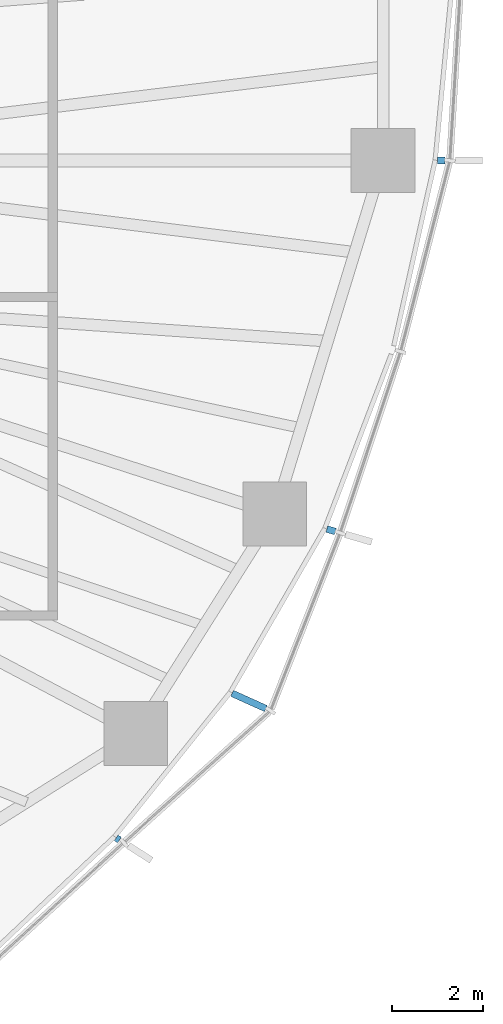
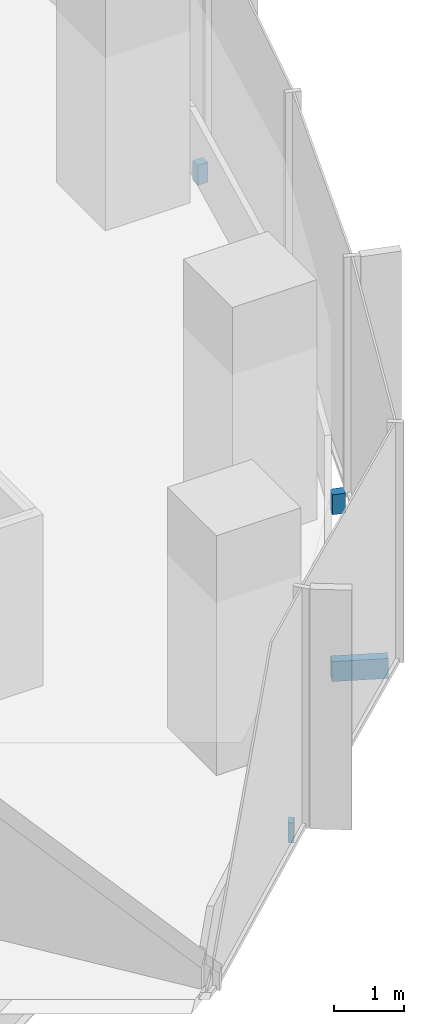
# One storey, part 14 of 18: 4 discrete accessories.
"""IFC4 building model written with IfcOpenShell, lengths in metres."""

from ifc_helpers import new_model, si_unit, direction, frame, origin, origin_2d, place, context, subcontext, project, spatial, rectangle, extrude, material, type_object, element, save


model = new_model("IFC4")

# Units and contexts
model_context = context("Model", 3, precision=1e-05, world=origin(), true_north=direction((0.0, 1.0)))
body_context = subcontext(model_context, "Body", "Model", "MODEL_VIEW")
ifc_project = project(units=[si_unit("LENGTHUNIT", "METRE"), si_unit("AREAUNIT", "SQUARE_METRE"), si_unit("VOLUMEUNIT", "CUBIC_METRE"), si_unit("PLANEANGLEUNIT", "RADIAN"), si_unit("MASSUNIT", "GRAM", prefix="KILO")], contexts=[model_context])

# Site, building, storey
site_placement = place(None, origin())
site = spatial("IfcSite", under=ifc_project, at=site_placement, CompositionType="ELEMENT")
building_placement = place(site_placement, origin())
building = spatial("IfcBuilding", under=site, at=building_placement, Name="Ghaith Harvest Tower", CompositionType="ELEMENT")
storey_placement = place(building_placement, frame((0.0, 0.0, 168.0)))
storey = spatial("IfcBuildingStorey", under=building, at=storey_placement, Name="L36", CompositionType="ELEMENT", Elevation=168.0)

# Discrete accessories
ifc_material_1 = material(Name="Stainless steel grade 1.4401", Category="steel")
discrete_accessory_type_1 = type_object("IfcDiscreteAccessoryType", Name="CURTAIN WALL BRACKET 165", PredefinedType="BRACKET", material=ifc_material_1)
discrete_accessory_1_placement = place(storey_placement, frame((30.5361328125, 0.0, -0.25), z_axis=(0.0, 0.0, 1.0), x_axis=(1.0, 0.0, 0.0)))
element("IfcDiscreteAccessory", 1, at=discrete_accessory_1_placement, inside=storey, type_object=discrete_accessory_type_1, Name="CW-L bracket 1 bay 01 L36", PredefinedType="BRACKET", context=body_context, shape_type="SweptSolid", body=[
    extrude(rectangle(XDim=0.1650390625, YDim=0.14990234375, at=origin_2d()), origin(), (0.0, 0.0, 1.0), 0.35009765625),
])
ifc_material_2 = material(Name="Stainless steel grade 1.4401", Category="steel")
discrete_accessory_type_2 = type_object("IfcDiscreteAccessoryType", Name="CURTAIN WALL BRACKET 195", PredefinedType="BRACKET", material=ifc_material_2)
discrete_accessory_2_placement = place(storey_placement, frame((28.1201171875, -8.127197265625, -0.25), z_axis=(0.0, 0.0, 1.0), x_axis=(0.960680349932, -0.277656739976, 0.0)))
element("IfcDiscreteAccessory", 2, at=discrete_accessory_2_placement, inside=storey, type_object=discrete_accessory_type_2, Name="CW-L bracket 1 bay 20 L36", PredefinedType="BRACKET", context=body_context, shape_type="SweptSolid", body=[
    extrude(rectangle(XDim=0.195068359375, YDim=0.14990234375, at=origin_2d()), origin(), (0.0, 0.0, 1.0), 0.35009765625),
])
ifc_material_3 = material(Name="Stainless steel grade 1.4401", Category="steel")
discrete_accessory_type_3 = type_object("IfcDiscreteAccessoryType", Name="CURTAIN WALL BRACKET 815", PredefinedType="BRACKET", material=ifc_material_3)
discrete_accessory_3_placement = place(storey_placement, frame((26.314697265625, -11.879638671875, -0.25), z_axis=(0.0, 0.0, 1.0), x_axis=(0.911426750831, -0.41146236507, 0.0)))
element("IfcDiscreteAccessory", 3, at=discrete_accessory_3_placement, inside=storey, type_object=discrete_accessory_type_3, Name="CW-L bracket 2 bay 19 L36", PredefinedType="BRACKET", context=body_context, shape_type="SweptSolid", body=[
    extrude(rectangle(XDim=0.81494140625, YDim=0.14990234375, at=origin_2d()), origin(), (0.0, 0.0, 1.0), 0.35009765625),
])
ifc_material_4 = material(Name="Stainless steel grade 1.4401", Category="steel")
discrete_accessory_type_4 = type_object("IfcDiscreteAccessoryType", Name="CURTAIN WALL BRACKET 85", PredefinedType="BRACKET", material=ifc_material_4)
discrete_accessory_4_placement = place(storey_placement, frame((23.431884765625, -14.912353515625, -0.25), z_axis=(0.0, 0.0, 1.0), x_axis=(0.84364397137, -0.536903016913, 0.0)))
element("IfcDiscreteAccessory", 4, at=discrete_accessory_4_placement, inside=storey, type_object=discrete_accessory_type_4, Name="CW-L bracket 1 bay 19 L36", PredefinedType="BRACKET", context=body_context, shape_type="SweptSolid", body=[
    extrude(rectangle(XDim=0.0849609375, YDim=0.14990234375, at=origin_2d()), origin(), (0.0, 0.0, 1.0), 0.35009765625),
])

save(model, "model.ifc")
